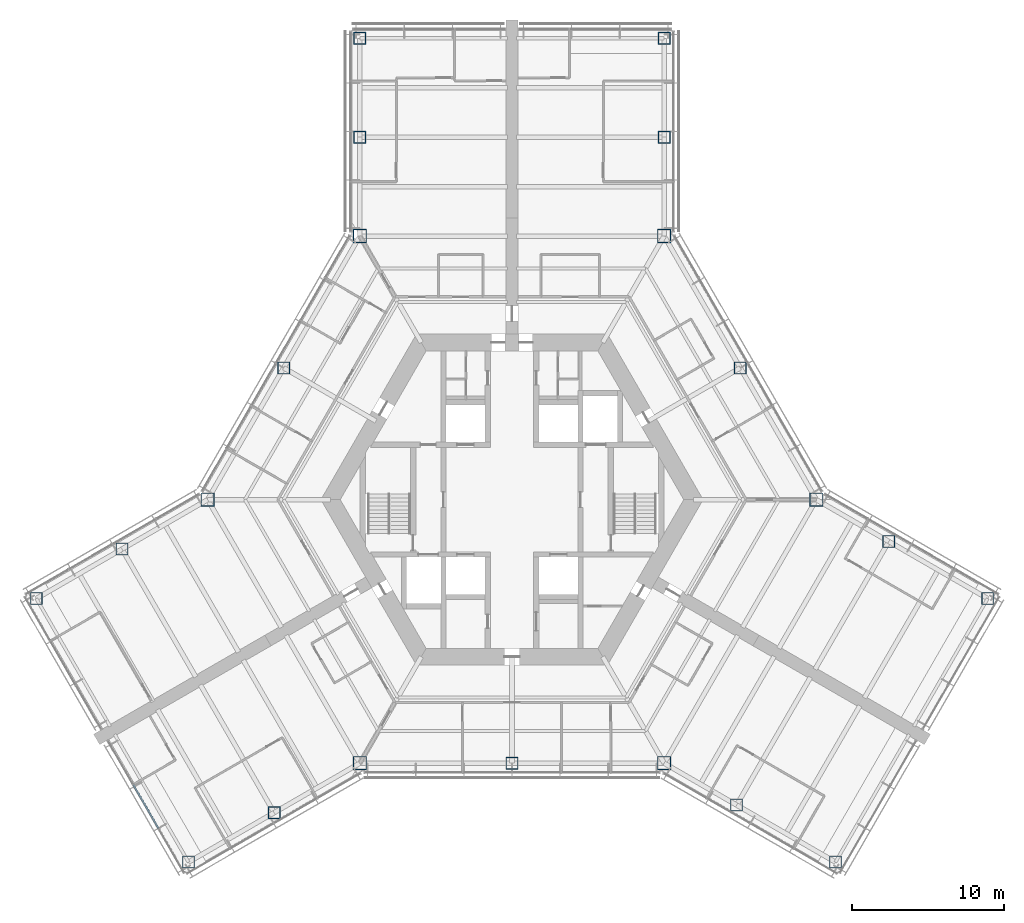
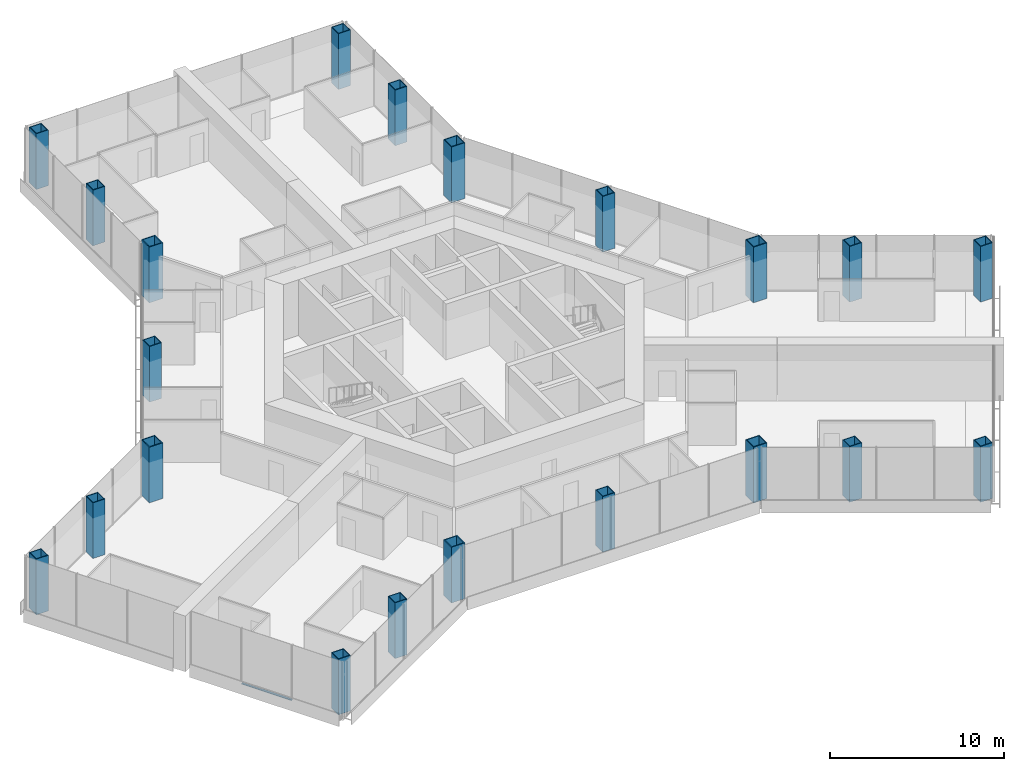
# One storey, part 1 of 19: 21 columns, 1 member, 1 element without a shape of its own.
"""IFC4 building model written with IfcOpenShell, lengths in metres."""

from ifc_helpers import new_model, si_unit, direction, frame, origin, origin_2d, place, context, subcontext, project, spatial, rectangle, hollow_rectangle, extrude, material, material_profile, profile_set, type_object, element, aggregate, save


model = new_model("IFC4")

# Units and contexts
model_context = context("Model", 3, precision=1e-05, world=origin(), true_north=direction((0.0, 1.0)))
body_context = subcontext(model_context, "Body", "Model", "MODEL_VIEW")
ifc_project = project(units=[si_unit("LENGTHUNIT", "METRE"), si_unit("AREAUNIT", "SQUARE_METRE"), si_unit("VOLUMEUNIT", "CUBIC_METRE"), si_unit("PLANEANGLEUNIT", "RADIAN"), si_unit("MASSUNIT", "GRAM", prefix="KILO")], contexts=[model_context])

# Site, building, storey
site_placement = place(None, origin())
site = spatial("IfcSite", under=ifc_project, at=site_placement, CompositionType="ELEMENT")
building_placement = place(site_placement, origin())
building = spatial("IfcBuilding", under=site, at=building_placement, Name="Kasaneha Research Tower", CompositionType="ELEMENT")
storey_placement = place(building_placement, frame((0.0, 0.0, 92.39990234375)))
storey = spatial("IfcBuildingStorey", under=building, at=storey_placement, Name="L23", CompositionType="ELEMENT", Elevation=92.39990234375)

# Columns
ifc_material_1 = material(Name="Steel SN490C", Category="steel")
ifc_material_profile_1 = material_profile(ifc_material_1, hollow_rectangle(XDim=0.89990234375, YDim=0.89990234375, WallThickness=0.054931640625, at=origin_2d()), Name="BOX-900x900x55")
ifc_profile_set_1 = profile_set([ifc_material_profile_1], Name="Steel SN490C")
column_type_1 = type_object("IfcColumnType", Name="C2A column BOX-900x900x55", PredefinedType="COLUMN", material=ifc_profile_set_1)
for number, where, z_axis, x_axis, name in (
    (1, (20.0, 0.0, 0.0), (0.0, 0.0, 1.0), (1.0, 0.0, 0.0), "Column V0 L23"),
    (2, (10.0, 17.320556640625, 0.0), (0.0, 0.0, 1.0), (1.0, 0.0, 0.0), "Column V1 L23"),
    (3, (-10.0, 17.320556640625, 0.0), (0.0, 0.0, 1.0), (1.0, 0.0, 0.0), "Column V2 L23"),
    (4, (-20.0, 0.0, 0.0), (0.0, 0.0, 1.0), (1.0, 0.0, 0.0), "Column V3 L23"),
    (5, (-10.0, -17.320556640625, 0.0), (0.0, 0.0, 1.0), (1.0, 0.0, 0.0), "Column V4 L23"),
    (6, (10.0, -17.320556640625, 0.0), (0.0, 0.0, 1.0), (1.0, 0.0, 0.0), "Column V5 L23"),
):
    element("IfcColumn", number, at=place(storey_placement, frame(where, z_axis=z_axis, x_axis=x_axis)), inside=storey, type_object=column_type_1, Name=name, PredefinedType="COLUMN", context=body_context, shape_type="SweptSolid", body=[
        extrude(hollow_rectangle(XDim=0.89990234375, YDim=0.89990234375, WallThickness=0.054931640625, at=origin_2d()), origin(), (0.0, 0.0, 1.0), 3.900146484375),
    ])
ifc_material_2 = material(Name="Steel SN490C", Category="steel")
ifc_material_profile_2 = material_profile(ifc_material_2, hollow_rectangle(XDim=0.800048828125, YDim=0.800048828125, WallThickness=0.044921875, at=origin_2d()), Name="BOX-800x800x45")
ifc_profile_set_2 = profile_set([ifc_material_profile_2], Name="Steel SN490C")
column_type_2 = type_object("IfcColumnType", Name="C2B column BOX-800x800x45", PredefinedType="COLUMN", material=ifc_profile_set_2)
for number, where, z_axis, x_axis, name in (
    (7, (15.0, 8.66015625, 0.0), (0.0, 0.0, 1.0), (1.0, 0.0, 0.0), "Column M030 L23"),
    (8, (-15.0, 8.66015625, 0.0), (0.0, 0.0, 1.0), (1.0, 0.0, 0.0), "Column M150 L23"),
    (9, (0.0, -17.320556640625, 0.0), (0.0, 0.0, 1.0), (1.0, 0.0, 0.0), "Column M270 L23"),
    (10, (10.0, 23.820556640625, 0.0), (0.0, 0.0, 1.0), (1.0, 0.0, 0.0), "Column ASP L23"),
    (11, (10.0, 30.320556640625, 0.0), (0.0, 0.0, 1.0), (1.0, 0.0, 0.0), "Column ATP L23"),
    (12, (-10.0, 23.820556640625, 0.0), (0.0, 0.0, 1.0), (1.0, 0.0, 0.0), "Column ASN L23"),
    (13, (-10.0, 30.320556640625, 0.0), (0.0, 0.0, 1.0), (1.0, 0.0, 0.0), "Column ATN L23"),
    (14, (-25.629150390625, -3.25, 0.0), (0.0, 0.0, 1.0), (1.0, 0.0, 0.0), "Column BSP L23"),
    (15, (-31.25830078125, -6.5, 0.0), (0.0, 0.0, 1.0), (1.0, 0.0, 0.0), "Column BTP L23"),
    (16, (-15.629150390625, -20.570556640625, 0.0), (0.0, 0.0, 1.0), (1.0, 0.0, 0.0), "Column BSN L23"),
    (17, (-21.25830078125, -23.820556640625, 0.0), (0.0, 0.0, 1.0), (1.0, 0.0, 0.0), "Column BTN L23"),
    (18, (14.76318359375, -20.070556640625, 0.0), (0.0, 0.0, 1.0), (1.0, 0.0, 0.0), "Column CSP L23"),
    (19, (21.25830078125, -23.820556640625, 0.0), (0.0, 0.0, 1.0), (1.0, 0.0, 0.0), "Column CTP L23"),
    (20, (24.76318359375, -2.75, 0.0), (0.0, 0.0, 1.0), (1.0, 0.0, 0.0), "Column CSN L23"),
    (21, (31.25830078125, -6.5, 0.0), (0.0, 0.0, 1.0), (1.0, 0.0, 0.0), "Column CTN L23"),
):
    element("IfcColumn", number, at=place(storey_placement, frame(where, z_axis=z_axis, x_axis=x_axis)), inside=storey, type_object=column_type_2, Name=name, PredefinedType="COLUMN", context=body_context, shape_type="SweptSolid", body=[
        extrude(hollow_rectangle(XDim=0.800048828125, YDim=0.800048828125, WallThickness=0.044921875, at=origin_2d()), origin(), (0.0, 0.0, 1.0), 3.900146484375),
    ])

# Curtain wall, member
ifc_material_3 = material(Name="Glass and aluminium", Category="aluminium")
curtain_wall_type = type_object("IfcCurtainWallType", Name="Low-rise office curtain wall", PredefinedType="USERDEFINED", material=ifc_material_3)
curtain_wall_placement = place(storey_placement, origin())
curtain_wall = element("IfcCurtainWall", 22, at=curtain_wall_placement, inside=storey, type_object=curtain_wall_type, Name="CW-O1 L23 run 15a", ObjectType="UNITISED CURTAIN WALL", PredefinedType="USERDEFINED")
ifc_material_4 = material(Name="Aluminium 6063-T6", Category="aluminium")
ifc_material_profile_3 = material_profile(ifc_material_4, rectangle(XDim=0.1201171875, YDim=0.06005859375, at=origin_2d()), Name="CW-O1 transom 120x60")
ifc_profile_set_3 = profile_set([ifc_material_profile_3], Name="Aluminium 6063-T6")
member_type = type_object("IfcMemberType", Name="CW-O1 transom", PredefinedType="USERDEFINED", material=ifc_profile_set_3)
member_placement = place(storey_placement, frame((-24.879638671875, -18.748291015625, 0.030029296875), z_axis=(0.500014325468, -0.866017132814, 0.0), x_axis=(0.866017132814, 0.500014325468, 0.0)))
member = element("IfcMember", 23, at=member_placement, type_object=member_type, Name="CW-O1 transom 2", ObjectType="TRANSOM", PredefinedType="USERDEFINED", context=body_context, shape_type="SweptSolid", body=[
    extrude(rectangle(XDim=0.1201171875, YDim=0.06005859375, at=origin_2d()), origin(), (0.0, 0.0, 1.0), 3.306640625),
])
aggregate(curtain_wall, [member])

save(model, "model.ifc")
